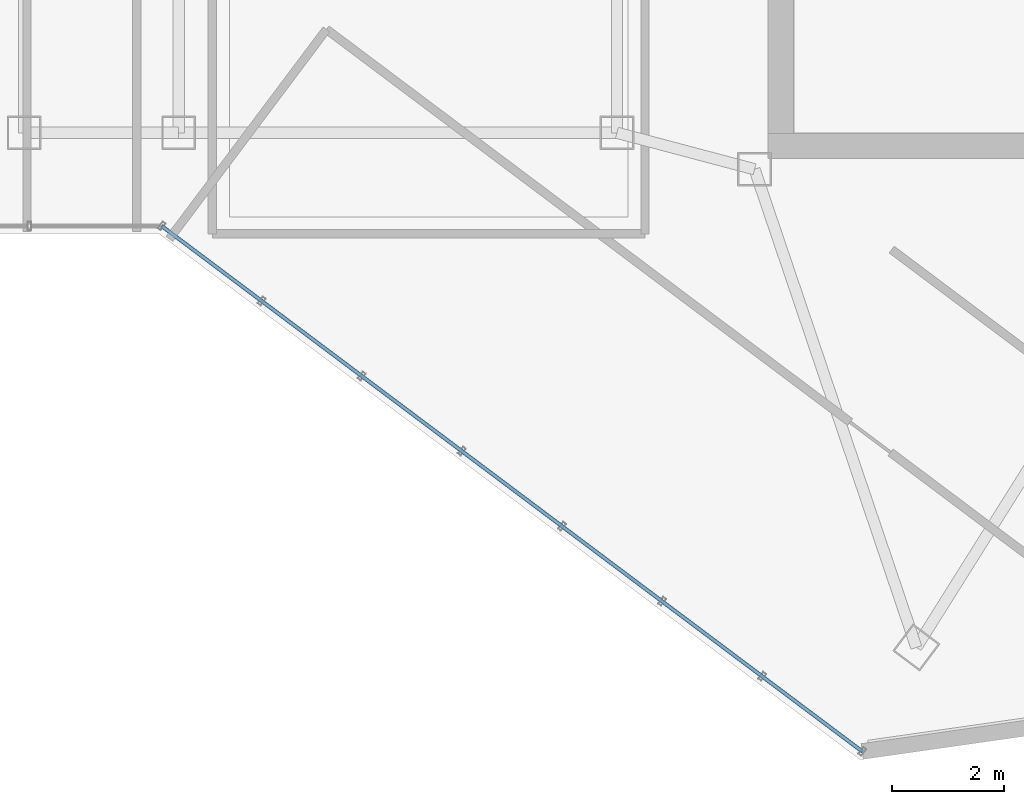
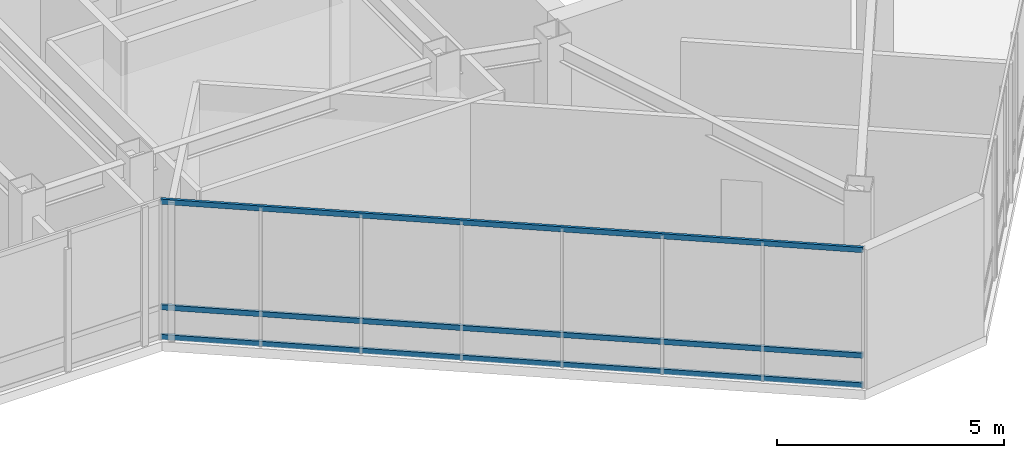
# One storey, part 3 of 29: 3 members, 1 element without a shape of its own.
"""IFC4 building model written with IfcOpenShell, lengths in metres."""

from ifc_helpers import new_model, si_unit, direction, frame, origin, origin_2d, place, context, subcontext, project, spatial, hollow_rectangle, extrude, material, layer, layer_set, material_profile, profile_set, type_object, element, aggregate, save


model = new_model("IFC4")

# Units and contexts
model_context = context("Model", 3, precision=1e-05, world=origin(), true_north=direction((0.0, 1.0)))
body_context = subcontext(model_context, "Body", "Model", "MODEL_VIEW")
ifc_project = project(units=[si_unit("LENGTHUNIT", "METRE"), si_unit("AREAUNIT", "SQUARE_METRE"), si_unit("VOLUMEUNIT", "CUBIC_METRE"), si_unit("PLANEANGLEUNIT", "RADIAN"), si_unit("MASSUNIT", "GRAM", prefix="KILO")], contexts=[model_context])

# Site, building, storey
site_placement = place(None, origin())
site = spatial("IfcSite", under=ifc_project, at=site_placement, CompositionType="ELEMENT")
building_placement = place(site_placement, origin())
building = spatial("IfcBuilding", under=site, at=building_placement, Name="Hatsunagi Terrace Concourse", CompositionType="ELEMENT")
storey_placement = place(building_placement, frame((0.0, 0.0, 277.949951171875)))
storey = spatial("IfcBuildingStorey", under=building, at=storey_placement, Name="L73", CompositionType="ELEMENT", Elevation=277.949951171875)

# Curtain wall, members
ifc_material_1 = material(Name="Anodised Aluminium Alloy 6063-T5", Category="aluminium")
ifc_layer = layer(ifc_material_1, 0.199951171875)
ifc_layer_set = layer_set([ifc_layer], Name="CrownWintergarden_CW06")
curtain_wall_type = type_object("IfcCurtainWallType", Name="CrownWintergarden_CW06", PredefinedType="NOTDEFINED", material=ifc_layer_set)
curtain_wall_placement = place(storey_placement, origin())
curtain_wall = element("IfcCurtainWall", 1, at=curtain_wall_placement, inside=storey, type_object=curtain_wall_type, Name="Unitised Curtain Wall CW-06 CW-L73-05", PredefinedType="NOTDEFINED")
ifc_material_2 = material(Name="Anodised Aluminium Alloy 6063-T5", Category="aluminium")
ifc_material_profile = material_profile(ifc_material_2, hollow_rectangle(XDim=0.06494140625, YDim=0.139892578125, WallThickness=0.00390625, at=origin_2d()), Name="ALU-TRN-140x65x4")
ifc_profile_set = profile_set([ifc_material_profile], Name="Anodised Aluminium Alloy 6063-T5")
member_type = type_object("IfcMemberType", Name="CurtainWallTransom_140x65", PredefinedType="USERDEFINED", material=ifc_profile_set)
member_1_placement = place(storey_placement, frame((37.718017578125, 14.18701171875, 0.050048828125), z_axis=(-0.800005638109, 0.599992482448, 0.0), x_axis=(-0.599992482448, -0.800005638109, 0.0)))
member_1 = element("IfcMember", 2, at=member_1_placement, type_object=member_type, Name="Curtain Wall Transom TRN-02", ObjectType="TRANSOM", PredefinedType="USERDEFINED", context=body_context, shape_type="SweptSolid", body=[
    extrude(hollow_rectangle(XDim=0.06494140625, YDim=0.139892578125, WallThickness=0.00390625, at=origin_2d()), origin(), (0.0, 0.0, 1.0), 15.588623046875),
])
member_2_placement = place(storey_placement, frame((37.718017578125, 14.18701171875, 0.85009765625), z_axis=(-0.800005638109, 0.599992482448, 0.0), x_axis=(-0.599992482448, -0.800005638109, 0.0)))
member_2 = element("IfcMember", 3, at=member_2_placement, type_object=member_type, Name="Curtain Wall Transom TRN-02", ObjectType="TRANSOM", PredefinedType="USERDEFINED", context=body_context, shape_type="SweptSolid", body=[
    extrude(hollow_rectangle(XDim=0.06494140625, YDim=0.139892578125, WallThickness=0.00390625, at=origin_2d()), origin(), (0.0, 0.0, 1.0), 15.588623046875),
])
member_3_placement = place(storey_placement, frame((37.718017578125, 14.18701171875, 3.68994140625), z_axis=(-0.800005638109, 0.599992482448, 0.0), x_axis=(-0.599992482448, -0.800005638109, 0.0)))
member_3 = element("IfcMember", 4, at=member_3_placement, type_object=member_type, Name="Curtain Wall Transom TRN-02", ObjectType="TRANSOM", PredefinedType="USERDEFINED", context=body_context, shape_type="SweptSolid", body=[
    extrude(hollow_rectangle(XDim=0.06494140625, YDim=0.139892578125, WallThickness=0.00390625, at=origin_2d()), origin(), (0.0, 0.0, 1.0), 15.588623046875),
])
aggregate(curtain_wall, [member_1, member_2, member_3])

save(model, "model.ifc")
